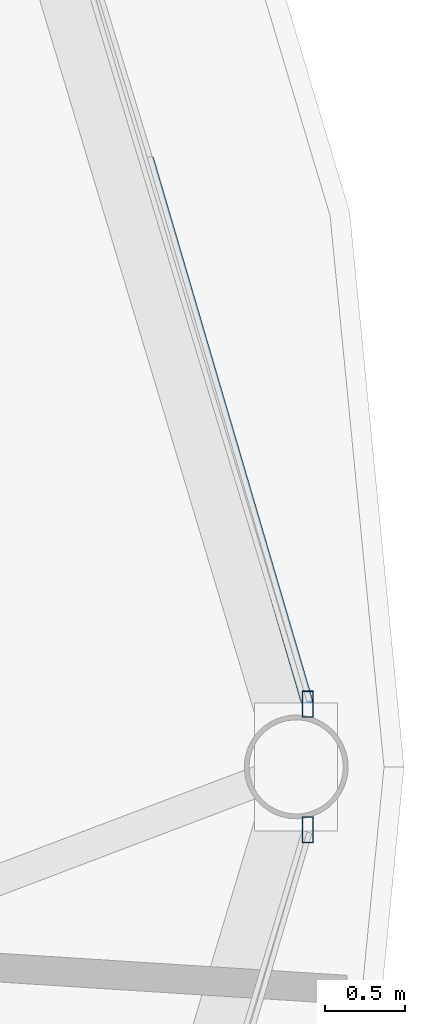
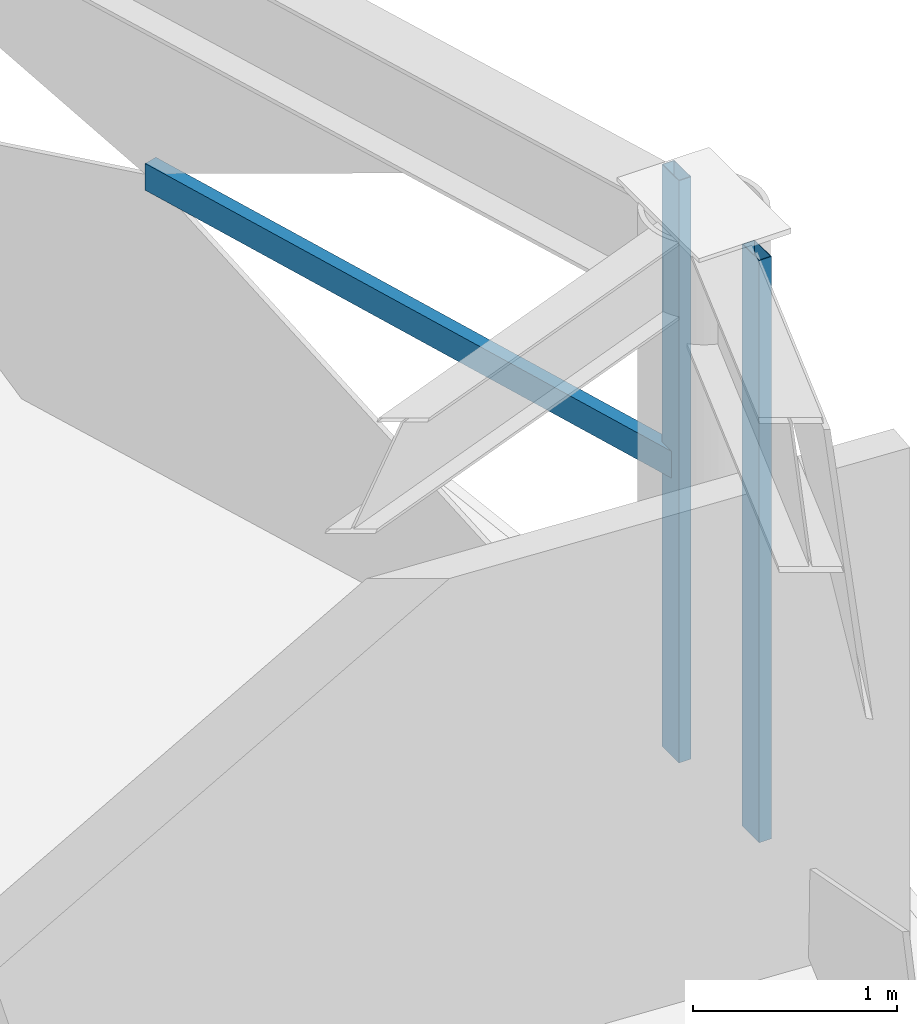
# One storey, part 13 of 28: 3 members, 2 elements without a shape of their own.
"""IFC4 building model written with IfcOpenShell, lengths in metres."""

from ifc_helpers import new_model, si_unit, direction, frame, origin, origin_2d, place, context, subcontext, project, spatial, hollow_rectangle, extrude, material, layer, layer_set, material_profile, profile_set, type_object, element, aggregate, save


model = new_model("IFC4")

# Units and contexts
model_context = context("Model", 3, precision=1e-05, world=origin(), true_north=direction((0.0, 1.0)))
body_context = subcontext(model_context, "Body", "Model", "MODEL_VIEW")
ifc_project = project(units=[si_unit("LENGTHUNIT", "METRE"), si_unit("AREAUNIT", "SQUARE_METRE"), si_unit("VOLUMEUNIT", "CUBIC_METRE"), si_unit("PLANEANGLEUNIT", "RADIAN"), si_unit("MASSUNIT", "GRAM", prefix="KILO")], contexts=[model_context])

# Site, building, storey
site_placement = place(None, origin())
site = spatial("IfcSite", under=ifc_project, at=site_placement, CompositionType="ELEMENT")
building_placement = place(site_placement, origin())
building = spatial("IfcBuilding", under=site, at=building_placement, Name="Vantalir Tower", CompositionType="ELEMENT")
storey_placement = place(building_placement, frame((0.0, 0.0, 246.14990234375)))
storey = spatial("IfcBuildingStorey", under=building, at=storey_placement, Name="L62", CompositionType="ELEMENT", Elevation=246.14990234375)

# Curtain wall, member
ifc_material_1 = material(Name="Champagne-silver PVDF aluminium and double-silver Low-E glass", Category="aluminium")
ifc_layer = layer(ifc_material_1, 0.2099609375)
ifc_layer_set = layer_set([ifc_layer], Name="Champagne-silver PVDF aluminium and double-silver Low-E glass")
curtain_wall_type = type_object("IfcCurtainWallType", Name="CW-DIAMOND-Z3", PredefinedType="USERDEFINED", material=ifc_layer_set)
curtain_wall_1_placement = place(storey_placement, origin())
curtain_wall_1 = element("IfcCurtainWall", 1, at=curtain_wall_1_placement, inside=storey, type_object=curtain_wall_type, Name="L62 Quilted Pyramid-Diamond Curtain Wall S01", ObjectType="UNITISED CURTAIN WALL", PredefinedType="USERDEFINED")
ifc_material_2 = material(Name="Champagne-silver PVDF aluminium 6063-T6", Category="aluminium")
ifc_material_profile_1 = material_profile(ifc_material_2, hollow_rectangle(XDim=0.070068359375, YDim=0.1650390625, WallThickness=0.00390625, at=origin_2d()), Name="Champagne-silver PVDF aluminium 6063-T6")
ifc_profile_set_1 = profile_set([ifc_material_profile_1], Name="Champagne-silver PVDF aluminium 6063-T6")
member_type_1 = type_object("IfcMemberType", Name="CWM-165x70", PredefinedType="MULLION", material=ifc_profile_set_1)
member_1_placement = place(storey_placement, frame((53.2900390625, 25.39306640625, 0.045166015625), z_axis=(0.0, 0.0, 1.0), x_axis=(1.0, 0.0, 0.0)))
member_1 = element("IfcMember", 2, at=member_1_placement, type_object=member_type_1, Name="CW-L62-S01 Mullion 1", PredefinedType="MULLION", context=body_context, shape_type="SweptSolid", body=[
    extrude(hollow_rectangle(XDim=0.070068359375, YDim=0.1650390625, WallThickness=0.00390625, at=origin_2d()), origin(), (0.0, 0.0, 1.0), 3.47998046875),
])

curtain_wall_2_placement = place(storey_placement, origin())
curtain_wall_2 = element("IfcCurtainWall", 3, at=curtain_wall_2_placement, inside=storey, type_object=curtain_wall_type, Name="L62 Quilted Pyramid-Diamond Curtain Wall S12", ObjectType="UNITISED CURTAIN WALL", PredefinedType="USERDEFINED")
member_2_placement = place(storey_placement, frame((53.2900390625, 24.60693359375, 0.045166015625), z_axis=(0.0, 0.0, 1.0), x_axis=(1.0, 0.0, 0.0)))
member_2 = element("IfcMember", 4, at=member_2_placement, type_object=member_type_1, Name="CW-L62-S12 Mullion 2", PredefinedType="MULLION", context=body_context, shape_type="SweptSolid", body=[
    extrude(hollow_rectangle(XDim=0.070068359375, YDim=0.1650390625, WallThickness=0.00390625, at=origin_2d()), origin(), (0.0, 0.0, 1.0), 3.47998046875),
])
aggregate(curtain_wall_2, [member_2])

# Member
ifc_material_profile_2 = material_profile(ifc_material_2, hollow_rectangle(XDim=0.074951171875, YDim=0.159912109375, WallThickness=0.00390625, at=origin_2d()), Name="Champagne-silver PVDF aluminium 6063-T6")
ifc_profile_set_2 = profile_set([ifc_material_profile_2], Name="Champagne-silver PVDF aluminium 6063-T6")
member_type_2 = type_object("IfcMemberType", Name="CWT-160x75", PredefinedType="USERDEFINED", material=ifc_profile_set_2)
member_3_placement = place(storey_placement, frame((53.2900390625, 25.39306640625, 1.78515625), z_axis=(-0.281527466981, 0.959553169624, 0.0), x_axis=(-0.959553169624, -0.281527466981, 0.0)))
member_3 = element("IfcMember", 5, at=member_3_placement, type_object=member_type_2, Name="CW-L62-S01 Pyramid Fold Ridge Transom", ObjectType="TRANSOM", PredefinedType="USERDEFINED", context=body_context, shape_type="SweptSolid", body=[
    extrude(hollow_rectangle(XDim=0.074951171875, YDim=0.159912109375, WallThickness=0.00390625, at=origin_2d()), origin(), (0.0, 0.0, 1.0), 3.55908203125),
])

aggregate(curtain_wall_1, [member_1, member_3])

save(model, "model.ifc")
